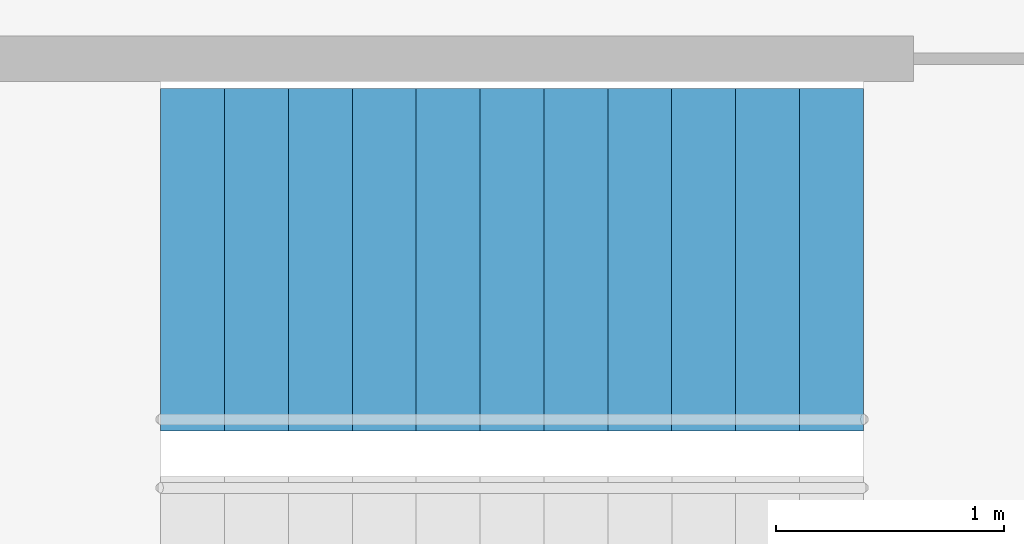
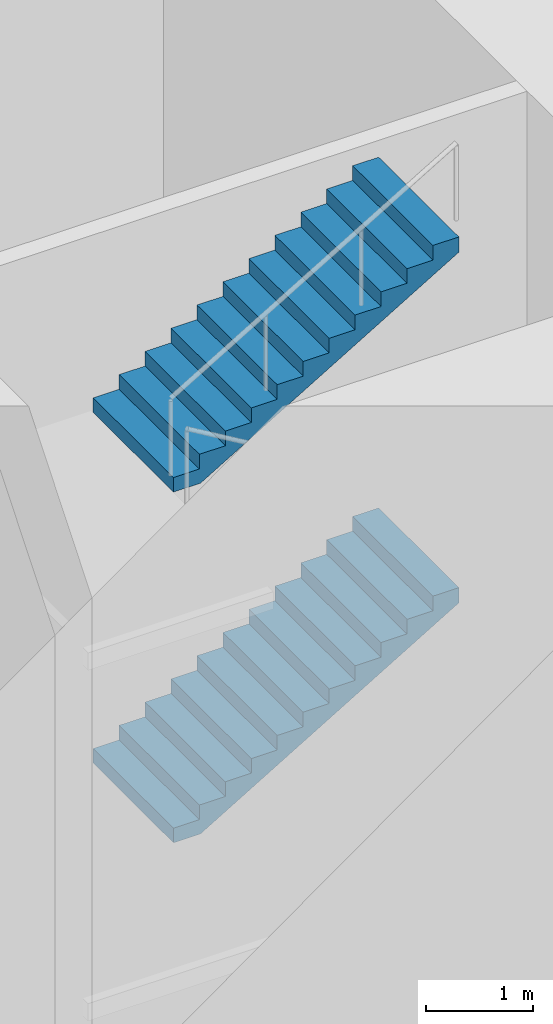
# One storey, part 33 of 74: 2 stair flights, 1 element without a shape of its own.
"""IFC4 building model written with IfcOpenShell, lengths in metres."""

from ifc_helpers import new_model, si_unit, direction, frame, origin, place, context, subcontext, project, spatial, triangles, material, type_object, element, aggregate, save


model = new_model("IFC4")

# Units and contexts
model_context = context("Model", 3, precision=1e-05, world=origin(), true_north=direction((0.0, 1.0)))
body_context = subcontext(model_context, "Body", "Model", "MODEL_VIEW")
ifc_project = project(units=[si_unit("LENGTHUNIT", "METRE"), si_unit("AREAUNIT", "SQUARE_METRE"), si_unit("VOLUMEUNIT", "CUBIC_METRE"), si_unit("PLANEANGLEUNIT", "RADIAN"), si_unit("MASSUNIT", "GRAM", prefix="KILO")], contexts=[model_context])

# Site, building, storey
site_placement = place(None, origin())
site = spatial("IfcSite", under=ifc_project, at=site_placement, CompositionType="ELEMENT")
building_placement = place(site_placement, origin())
building = spatial("IfcBuilding", under=site, at=building_placement, Name="Lantaw Convention Tower", CompositionType="ELEMENT")
storey_placement = place(building_placement, frame((0.0, 0.0, 6.5)))
storey = spatial("IfcBuildingStorey", under=building, at=storey_placement, Name="L01", CompositionType="ELEMENT", Elevation=6.5)

# Stair, stair flights
ifc_material = material(Name="Concrete C35/45", Category="concrete")
stair_type = type_object("IfcStairType", Name="Exit stair 1500 riser 166.67 in 4 flights", PredefinedType="HALF_TURN_STAIR", material=ifc_material)
stair_placement = place(storey_placement, origin())
stair = element("IfcStair", 1, at=stair_placement, inside=storey, type_object=stair_type, Name="Exit stair S2 L01", PredefinedType="HALF_TURN_STAIR")
stair_flight_type = type_object("IfcStairFlightType", Name="Stair flight 1500 riser 166.67", PredefinedType="STRAIGHT", material=ifc_material)
stair_flight_1_placement = place(storey_placement, frame((7.5, -4.280029296875, 2.0), z_axis=(0.0, 0.0, 1.0), x_axis=(1.0, 0.0, 0.0)))
stair_flight_1 = element("IfcStairFlight", 2, at=stair_flight_1_placement, type_object=stair_flight_type, Name="S2 flight 2", NumberOfRisers=12, NumberOfTreads=11, PredefinedType="STRAIGHT", RiserHeight=0.166666667, TreadLength=0.28, context=body_context, shape_type="Tessellation", body=[
    triangles([(0.0, 0.75, 0.0), (0.0, 0.75, 0.166666667), (0.28, 0.75, 0.0), (0.28, 0.75, 0.166666667), (0.28, 0.75, 0.333333334), (0.29307345806906726, 0.75, 0.0), (0.29307345806906726, 0.75, 0.333333334), (0.56, 0.75, 0.15888484670522965), (0.56, 0.75, 0.333333334), (0.56, 0.75, 0.500000001), (0.8400000000000001, 0.75, 0.3255515137052296), (0.8400000000000001, 0.75, 0.500000001), (0.8400000000000001, 0.75, 0.666666668), (1.12, 0.75, 0.4922181807052296), (1.12, 0.75, 0.666666668), (1.12, 0.75, 0.833333335), (1.4000000000000001, 0.75, 0.6588848477052296), (1.4000000000000001, 0.75, 0.833333335), (1.4000000000000001, 0.75, 1.000000002), (1.6800000000000002, 0.75, 0.8255515147052296), (1.6800000000000002, 0.75, 1.000000002), (1.6800000000000002, 0.75, 1.166666669), (1.9600000000000002, 0.75, 0.9922181817052296), (1.9600000000000002, 0.75, 1.166666669), (1.9600000000000002, 0.75, 1.333333336), (2.24, 0.75, 1.1588848487052295), (2.24, 0.75, 1.333333336), (2.24, 0.75, 1.5000000029999998), (2.5200000000000005, 0.75, 1.3255515157052296), (2.5200000000000005, 0.75, 1.5000000029999998), (2.5200000000000005, 0.75, 1.66666667), (2.8000000000000003, 0.75, 1.4922181827052294), (2.8000000000000003, 0.75, 1.66666667), (2.8000000000000003, 0.75, 1.833333337), (3.08, 0.75, 1.6588848497052293), (3.08, 0.75, 1.833333337), (0.0, -0.75, 0.0), (0.0, -0.75, 0.166666667), (0.28, -0.75, 0.0), (0.28, -0.75, 0.166666667), (0.28, -0.75, 0.333333334), (0.29307345806906726, -0.75, 0.0), (0.29307345806906726, -0.75, 0.333333334), (0.56, -0.75, 0.15888484670522965), (0.56, -0.75, 0.333333334), (0.56, -0.75, 0.500000001), (0.8400000000000001, -0.75, 0.3255515137052296), (0.8400000000000001, -0.75, 0.500000001), (0.8400000000000001, -0.75, 0.666666668), (1.12, -0.75, 0.4922181807052296), (1.12, -0.75, 0.666666668), (1.12, -0.75, 0.833333335), (1.4000000000000001, -0.75, 0.6588848477052296), (1.4000000000000001, -0.75, 0.833333335), (1.4000000000000001, -0.75, 1.000000002), (1.6800000000000002, -0.75, 0.8255515147052296), (1.6800000000000002, -0.75, 1.000000002), (1.6800000000000002, -0.75, 1.166666669), (1.9600000000000002, -0.75, 0.9922181817052296), (1.9600000000000002, -0.75, 1.166666669), (1.9600000000000002, -0.75, 1.333333336), (2.24, -0.75, 1.1588848487052295), (2.24, -0.75, 1.333333336), (2.24, -0.75, 1.5000000029999998), (2.5200000000000005, -0.75, 1.3255515157052296), (2.5200000000000005, -0.75, 1.5000000029999998), (2.5200000000000005, -0.75, 1.66666667), (2.8000000000000003, -0.75, 1.4922181827052294), (2.8000000000000003, -0.75, 1.66666667), (2.8000000000000003, -0.75, 1.833333337), (3.08, -0.75, 1.6588848497052293), (3.08, -0.75, 1.833333337), (0.0, 0.15000000000000002, 0.166666667), (0.0, 0.15000000000000002, 0.0), (0.0, 0.0, 0.166666667), (0.0, 0.0, 0.0), (0.0, -0.15000000000000002, 0.166666667), (0.0, -0.15000000000000002, 0.0), (0.28, 0.15000000000000002, 0.333333334), (0.28, 0.15000000000000002, 0.166666667), (0.28, 0.0, 0.333333334), (0.28, 0.0, 0.166666667), (0.28, -0.15000000000000002, 0.333333334), (0.28, -0.15000000000000002, 0.166666667), (0.56, 0.15000000000000002, 0.500000001), (0.56, 0.15000000000000002, 0.333333334), (0.56, 0.0, 0.500000001), (0.56, 0.0, 0.333333334), (0.56, -0.15000000000000002, 0.500000001), (0.56, -0.15000000000000002, 0.333333334), (0.8400000000000001, 0.15000000000000002, 0.666666668), (0.8400000000000001, 0.15000000000000002, 0.500000001), (0.8400000000000001, 0.0, 0.666666668), (0.8400000000000001, 0.0, 0.500000001), (0.8400000000000001, -0.15000000000000002, 0.666666668), (0.8400000000000001, -0.15000000000000002, 0.500000001), (1.12, 0.15000000000000002, 0.833333335), (1.12, 0.15000000000000002, 0.666666668), (1.12, 0.0, 0.833333335), (1.12, 0.0, 0.666666668), (1.12, -0.15000000000000002, 0.833333335), (1.12, -0.15000000000000002, 0.666666668), (1.4000000000000001, 0.15000000000000002, 1.000000002), (1.4000000000000001, 0.15000000000000002, 0.833333335), (1.4000000000000001, 0.0, 1.000000002), (1.4000000000000001, 0.0, 0.833333335), (1.4000000000000001, -0.15000000000000002, 1.000000002), (1.4000000000000001, -0.15000000000000002, 0.833333335), (1.6800000000000002, 0.15000000000000002, 1.166666669), (1.6800000000000002, 0.15000000000000002, 1.000000002), (1.6800000000000002, 0.0, 1.166666669), (1.6800000000000002, 0.0, 1.000000002), (1.6800000000000002, -0.15000000000000002, 1.166666669), (1.6800000000000002, -0.15000000000000002, 1.000000002), (1.9600000000000002, 0.15000000000000002, 1.333333336), (1.9600000000000002, 0.15000000000000002, 1.166666669), (1.9600000000000002, 0.0, 1.333333336), (1.9600000000000002, 0.0, 1.166666669), (1.9600000000000002, -0.15000000000000002, 1.333333336), (1.9600000000000002, -0.15000000000000002, 1.166666669), (2.24, 0.15000000000000002, 1.5000000029999998), (2.24, 0.15000000000000002, 1.333333336), (2.24, 0.0, 1.5000000029999998), (2.24, 0.0, 1.333333336), (2.24, -0.15000000000000002, 1.5000000029999998), (2.24, -0.15000000000000002, 1.333333336), (2.5200000000000005, 0.15000000000000002, 1.66666667), (2.5200000000000005, 0.15000000000000002, 1.5000000029999998), (2.5200000000000005, 0.0, 1.66666667), (2.5200000000000005, 0.0, 1.5000000029999998), (2.5200000000000005, -0.15000000000000002, 1.66666667), (2.5200000000000005, -0.15000000000000002, 1.5000000029999998), (2.8000000000000003, 0.15000000000000002, 1.833333337), (2.8000000000000003, 0.15000000000000002, 1.66666667), (2.8000000000000003, 0.0, 1.833333337), (2.8000000000000003, 0.0, 1.66666667), (2.8000000000000003, -0.15000000000000002, 1.833333337), (2.8000000000000003, -0.15000000000000002, 1.66666667), (0.29307345806906726, 0.15000000000000002, 0.333333334), (0.29307345806906726, 0.0, 0.333333334), (0.29307345806906726, -0.15000000000000002, 0.333333334), (3.08, 0.15000000000000002, 1.833333337), (3.08, 0.0, 1.833333337), (3.08, -0.15000000000000002, 1.833333337), (3.08, 0.15000000000000002, 1.6588848497052293), (3.08, 0.0, 1.6588848497052293), (3.08, -0.15000000000000002, 1.6588848497052293), (2.8000000000000003, 0.15000000000000002, 1.4922181827052294), (2.8000000000000003, 0.0, 1.4922181827052294), (2.8000000000000003, -0.15000000000000002, 1.4922181827052294), (2.5200000000000005, 0.15000000000000002, 1.3255515157052296), (2.5200000000000005, 0.0, 1.3255515157052296), (2.5200000000000005, -0.15000000000000002, 1.3255515157052296), (2.24, 0.15000000000000002, 1.1588848487052295), (2.24, 0.0, 1.1588848487052295), (2.24, -0.15000000000000002, 1.1588848487052295), (1.9600000000000002, 0.15000000000000002, 0.9922181817052296), (1.9600000000000002, 0.0, 0.9922181817052296), (1.9600000000000002, -0.15000000000000002, 0.9922181817052296), (1.6800000000000002, 0.15000000000000002, 0.8255515147052296), (1.6800000000000002, 0.0, 0.8255515147052296), (1.6800000000000002, -0.15000000000000002, 0.8255515147052296), (1.4000000000000001, 0.15000000000000002, 0.6588848477052296), (1.4000000000000001, 0.0, 0.6588848477052296), (1.4000000000000001, -0.15000000000000002, 0.6588848477052296), (1.12, 0.15000000000000002, 0.4922181807052296), (1.12, 0.0, 0.4922181807052296), (1.12, -0.15000000000000002, 0.4922181807052296), (0.8400000000000001, 0.15000000000000002, 0.3255515137052296), (0.8400000000000001, 0.0, 0.3255515137052296), (0.8400000000000001, -0.15000000000000002, 0.3255515137052296), (0.56, 0.15000000000000002, 0.15888484670522965), (0.56, 0.0, 0.15888484670522965), (0.56, -0.15000000000000002, 0.15888484670522965), (0.29307345806906726, 0.15000000000000002, 0.0), (0.29307345806906726, 0.0, 0.0), (0.29307345806906726, -0.15000000000000002, 0.0), (0.28, 0.15000000000000002, 0.0), (0.28, 0.0, 0.0), (0.28, -0.15000000000000002, 0.0)], [[1, 4, 3], [1, 2, 4], [3, 4, 6], [4, 7, 6], [4, 5, 7], [6, 9, 8], [6, 7, 9], [8, 9, 11], [9, 12, 11], [9, 10, 12], [11, 12, 14], [12, 15, 14], [12, 13, 15], [14, 15, 17], [15, 18, 17], [15, 16, 18], [17, 18, 20], [18, 21, 20], [18, 19, 21], [20, 21, 23], [21, 24, 23], [21, 22, 24], [23, 24, 26], [24, 27, 26], [24, 25, 27], [26, 27, 29], [27, 30, 29], [27, 28, 30], [29, 30, 32], [30, 33, 32], [30, 31, 33], [32, 33, 35], [33, 36, 35], [33, 34, 36], [37, 39, 40], [37, 40, 38], [39, 42, 40], [40, 42, 43], [40, 43, 41], [42, 44, 45], [42, 45, 43], [44, 47, 45], [45, 47, 48], [45, 48, 46], [47, 50, 48], [48, 50, 51], [48, 51, 49], [50, 53, 51], [51, 53, 54], [51, 54, 52], [53, 56, 54], [54, 56, 57], [54, 57, 55], [56, 59, 57], [57, 59, 60], [57, 60, 58], [59, 62, 60], [60, 62, 63], [60, 63, 61], [62, 65, 63], [63, 65, 66], [63, 66, 64], [65, 68, 66], [66, 68, 69], [66, 69, 67], [68, 71, 69], [69, 71, 72], [69, 72, 70], [1, 73, 2], [1, 74, 73], [74, 75, 73], [74, 76, 75], [76, 77, 75], [76, 78, 77], [78, 38, 77], [78, 37, 38], [4, 79, 5], [4, 80, 79], [80, 81, 79], [80, 82, 81], [82, 83, 81], [82, 84, 83], [84, 41, 83], [84, 40, 41], [9, 85, 10], [9, 86, 85], [86, 87, 85], [86, 88, 87], [88, 89, 87], [88, 90, 89], [90, 46, 89], [90, 45, 46], [12, 91, 13], [12, 92, 91], [92, 93, 91], [92, 94, 93], [94, 95, 93], [94, 96, 95], [96, 49, 95], [96, 48, 49], [15, 97, 16], [15, 98, 97], [98, 99, 97], [98, 100, 99], [100, 101, 99], [100, 102, 101], [102, 52, 101], [102, 51, 52], [18, 103, 19], [18, 104, 103], [104, 105, 103], [104, 106, 105], [106, 107, 105], [106, 108, 107], [108, 55, 107], [108, 54, 55], [21, 109, 22], [21, 110, 109], [110, 111, 109], [110, 112, 111], [112, 113, 111], [112, 114, 113], [114, 58, 113], [114, 57, 58], [24, 115, 25], [24, 116, 115], [116, 117, 115], [116, 118, 117], [118, 119, 117], [118, 120, 119], [120, 61, 119], [120, 60, 61], [27, 121, 28], [27, 122, 121], [122, 123, 121], [122, 124, 123], [124, 125, 123], [124, 126, 125], [126, 64, 125], [126, 63, 64], [30, 127, 31], [30, 128, 127], [128, 129, 127], [128, 130, 129], [130, 131, 129], [130, 132, 131], [132, 67, 131], [132, 66, 67], [33, 133, 34], [33, 134, 133], [134, 135, 133], [134, 136, 135], [136, 137, 135], [136, 138, 137], [138, 70, 137], [138, 69, 70], [2, 80, 4], [2, 73, 80], [73, 82, 80], [73, 75, 82], [75, 84, 82], [75, 77, 84], [77, 40, 84], [77, 38, 40], [5, 139, 7], [5, 79, 139], [79, 140, 139], [79, 81, 140], [81, 141, 140], [81, 83, 141], [83, 43, 141], [83, 41, 43], [7, 86, 9], [7, 139, 86], [139, 88, 86], [139, 140, 88], [140, 90, 88], [140, 141, 90], [141, 45, 90], [141, 43, 45], [10, 92, 12], [10, 85, 92], [85, 94, 92], [85, 87, 94], [87, 96, 94], [87, 89, 96], [89, 48, 96], [89, 46, 48], [13, 98, 15], [13, 91, 98], [91, 100, 98], [91, 93, 100], [93, 102, 100], [93, 95, 102], [95, 51, 102], [95, 49, 51], [16, 104, 18], [16, 97, 104], [97, 106, 104], [97, 99, 106], [99, 108, 106], [99, 101, 108], [101, 54, 108], [101, 52, 54], [19, 110, 21], [19, 103, 110], [103, 112, 110], [103, 105, 112], [105, 114, 112], [105, 107, 114], [107, 57, 114], [107, 55, 57], [22, 116, 24], [22, 109, 116], [109, 118, 116], [109, 111, 118], [111, 120, 118], [111, 113, 120], [113, 60, 120], [113, 58, 60], [25, 122, 27], [25, 115, 122], [115, 124, 122], [115, 117, 124], [117, 126, 124], [117, 119, 126], [119, 63, 126], [119, 61, 63], [28, 128, 30], [28, 121, 128], [121, 130, 128], [121, 123, 130], [123, 132, 130], [123, 125, 132], [125, 66, 132], [125, 64, 66], [31, 134, 33], [31, 127, 134], [127, 136, 134], [127, 129, 136], [129, 138, 136], [129, 131, 138], [131, 69, 138], [131, 67, 69], [34, 142, 36], [34, 133, 142], [133, 143, 142], [133, 135, 143], [135, 144, 143], [135, 137, 144], [137, 72, 144], [137, 70, 72], [36, 145, 35], [36, 142, 145], [142, 146, 145], [142, 143, 146], [143, 147, 146], [143, 144, 147], [144, 71, 147], [144, 72, 71], [35, 148, 32], [35, 145, 148], [145, 149, 148], [145, 146, 149], [146, 150, 149], [146, 147, 150], [147, 68, 150], [147, 71, 68], [32, 151, 29], [32, 148, 151], [148, 152, 151], [148, 149, 152], [149, 153, 152], [149, 150, 153], [150, 65, 153], [150, 68, 65], [29, 154, 26], [29, 151, 154], [151, 155, 154], [151, 152, 155], [152, 156, 155], [152, 153, 156], [153, 62, 156], [153, 65, 62], [26, 157, 23], [26, 154, 157], [154, 158, 157], [154, 155, 158], [155, 159, 158], [155, 156, 159], [156, 59, 159], [156, 62, 59], [23, 160, 20], [23, 157, 160], [157, 161, 160], [157, 158, 161], [158, 162, 161], [158, 159, 162], [159, 56, 162], [159, 59, 56], [20, 163, 17], [20, 160, 163], [160, 164, 163], [160, 161, 164], [161, 165, 164], [161, 162, 165], [162, 53, 165], [162, 56, 53], [17, 166, 14], [17, 163, 166], [163, 167, 166], [163, 164, 167], [164, 168, 167], [164, 165, 168], [165, 50, 168], [165, 53, 50], [14, 169, 11], [14, 166, 169], [166, 170, 169], [166, 167, 170], [167, 171, 170], [167, 168, 171], [168, 47, 171], [168, 50, 47], [11, 172, 8], [11, 169, 172], [169, 173, 172], [169, 170, 173], [170, 174, 173], [170, 171, 174], [171, 44, 174], [171, 47, 44], [8, 175, 6], [8, 172, 175], [172, 176, 175], [172, 173, 176], [173, 177, 176], [173, 174, 177], [174, 42, 177], [174, 44, 42], [6, 178, 3], [6, 175, 178], [175, 179, 178], [175, 176, 179], [176, 180, 179], [176, 177, 180], [177, 39, 180], [177, 42, 39], [3, 74, 1], [3, 178, 74], [178, 76, 74], [178, 179, 76], [179, 78, 76], [179, 180, 78], [180, 37, 78], [180, 39, 37]], closed=True),
])
stair_flight_2_placement = place(storey_placement, frame((7.5, -4.280029296875, 6.0), z_axis=(0.0, 0.0, 1.0), x_axis=(1.0, 0.0, 0.0)))
stair_flight_2 = element("IfcStairFlight", 3, at=stair_flight_2_placement, type_object=stair_flight_type, Name="S2 flight 4", NumberOfRisers=12, NumberOfTreads=11, PredefinedType="STRAIGHT", RiserHeight=0.166666667, TreadLength=0.28, context=body_context, shape_type="Tessellation", body=[
    triangles([(0.0, 0.75, 0.0), (0.0, 0.75, 0.166666667), (0.28, 0.75, 0.0), (0.28, 0.75, 0.166666667), (0.28, 0.75, 0.333333334), (0.29307345806906726, 0.75, 0.0), (0.29307345806906726, 0.75, 0.333333334), (0.56, 0.75, 0.15888484670522965), (0.56, 0.75, 0.333333334), (0.56, 0.75, 0.500000001), (0.8400000000000001, 0.75, 0.3255515137052296), (0.8400000000000001, 0.75, 0.500000001), (0.8400000000000001, 0.75, 0.666666668), (1.12, 0.75, 0.4922181807052296), (1.12, 0.75, 0.666666668), (1.12, 0.75, 0.833333335), (1.4000000000000001, 0.75, 0.6588848477052296), (1.4000000000000001, 0.75, 0.833333335), (1.4000000000000001, 0.75, 1.000000002), (1.6800000000000002, 0.75, 0.8255515147052296), (1.6800000000000002, 0.75, 1.000000002), (1.6800000000000002, 0.75, 1.166666669), (1.9600000000000002, 0.75, 0.9922181817052296), (1.9600000000000002, 0.75, 1.166666669), (1.9600000000000002, 0.75, 1.333333336), (2.24, 0.75, 1.1588848487052295), (2.24, 0.75, 1.333333336), (2.24, 0.75, 1.5000000029999998), (2.5200000000000005, 0.75, 1.3255515157052296), (2.5200000000000005, 0.75, 1.5000000029999998), (2.5200000000000005, 0.75, 1.66666667), (2.8000000000000003, 0.75, 1.4922181827052294), (2.8000000000000003, 0.75, 1.66666667), (2.8000000000000003, 0.75, 1.833333337), (3.08, 0.75, 1.6588848497052293), (3.08, 0.75, 1.833333337), (0.0, -0.75, 0.0), (0.0, -0.75, 0.166666667), (0.28, -0.75, 0.0), (0.28, -0.75, 0.166666667), (0.28, -0.75, 0.333333334), (0.29307345806906726, -0.75, 0.0), (0.29307345806906726, -0.75, 0.333333334), (0.56, -0.75, 0.15888484670522965), (0.56, -0.75, 0.333333334), (0.56, -0.75, 0.500000001), (0.8400000000000001, -0.75, 0.3255515137052296), (0.8400000000000001, -0.75, 0.500000001), (0.8400000000000001, -0.75, 0.666666668), (1.12, -0.75, 0.4922181807052296), (1.12, -0.75, 0.666666668), (1.12, -0.75, 0.833333335), (1.4000000000000001, -0.75, 0.6588848477052296), (1.4000000000000001, -0.75, 0.833333335), (1.4000000000000001, -0.75, 1.000000002), (1.6800000000000002, -0.75, 0.8255515147052296), (1.6800000000000002, -0.75, 1.000000002), (1.6800000000000002, -0.75, 1.166666669), (1.9600000000000002, -0.75, 0.9922181817052296), (1.9600000000000002, -0.75, 1.166666669), (1.9600000000000002, -0.75, 1.333333336), (2.24, -0.75, 1.1588848487052295), (2.24, -0.75, 1.333333336), (2.24, -0.75, 1.5000000029999998), (2.5200000000000005, -0.75, 1.3255515157052296), (2.5200000000000005, -0.75, 1.5000000029999998), (2.5200000000000005, -0.75, 1.66666667), (2.8000000000000003, -0.75, 1.4922181827052294), (2.8000000000000003, -0.75, 1.66666667), (2.8000000000000003, -0.75, 1.833333337), (3.08, -0.75, 1.6588848497052293), (3.08, -0.75, 1.833333337), (0.0, 0.15000000000000002, 0.166666667), (0.0, 0.15000000000000002, 0.0), (0.0, 0.0, 0.166666667), (0.0, 0.0, 0.0), (0.0, -0.15000000000000002, 0.166666667), (0.0, -0.15000000000000002, 0.0), (0.28, 0.15000000000000002, 0.333333334), (0.28, 0.15000000000000002, 0.166666667), (0.28, 0.0, 0.333333334), (0.28, 0.0, 0.166666667), (0.28, -0.15000000000000002, 0.333333334), (0.28, -0.15000000000000002, 0.166666667), (0.56, 0.15000000000000002, 0.500000001), (0.56, 0.15000000000000002, 0.333333334), (0.56, 0.0, 0.500000001), (0.56, 0.0, 0.333333334), (0.56, -0.15000000000000002, 0.500000001), (0.56, -0.15000000000000002, 0.333333334), (0.8400000000000001, 0.15000000000000002, 0.666666668), (0.8400000000000001, 0.15000000000000002, 0.500000001), (0.8400000000000001, 0.0, 0.666666668), (0.8400000000000001, 0.0, 0.500000001), (0.8400000000000001, -0.15000000000000002, 0.666666668), (0.8400000000000001, -0.15000000000000002, 0.500000001), (1.12, 0.15000000000000002, 0.833333335), (1.12, 0.15000000000000002, 0.666666668), (1.12, 0.0, 0.833333335), (1.12, 0.0, 0.666666668), (1.12, -0.15000000000000002, 0.833333335), (1.12, -0.15000000000000002, 0.666666668), (1.4000000000000001, 0.15000000000000002, 1.000000002), (1.4000000000000001, 0.15000000000000002, 0.833333335), (1.4000000000000001, 0.0, 1.000000002), (1.4000000000000001, 0.0, 0.833333335), (1.4000000000000001, -0.15000000000000002, 1.000000002), (1.4000000000000001, -0.15000000000000002, 0.833333335), (1.6800000000000002, 0.15000000000000002, 1.166666669), (1.6800000000000002, 0.15000000000000002, 1.000000002), (1.6800000000000002, 0.0, 1.166666669), (1.6800000000000002, 0.0, 1.000000002), (1.6800000000000002, -0.15000000000000002, 1.166666669), (1.6800000000000002, -0.15000000000000002, 1.000000002), (1.9600000000000002, 0.15000000000000002, 1.333333336), (1.9600000000000002, 0.15000000000000002, 1.166666669), (1.9600000000000002, 0.0, 1.333333336), (1.9600000000000002, 0.0, 1.166666669), (1.9600000000000002, -0.15000000000000002, 1.333333336), (1.9600000000000002, -0.15000000000000002, 1.166666669), (2.24, 0.15000000000000002, 1.5000000029999998), (2.24, 0.15000000000000002, 1.333333336), (2.24, 0.0, 1.5000000029999998), (2.24, 0.0, 1.333333336), (2.24, -0.15000000000000002, 1.5000000029999998), (2.24, -0.15000000000000002, 1.333333336), (2.5200000000000005, 0.15000000000000002, 1.66666667), (2.5200000000000005, 0.15000000000000002, 1.5000000029999998), (2.5200000000000005, 0.0, 1.66666667), (2.5200000000000005, 0.0, 1.5000000029999998), (2.5200000000000005, -0.15000000000000002, 1.66666667), (2.5200000000000005, -0.15000000000000002, 1.5000000029999998), (2.8000000000000003, 0.15000000000000002, 1.833333337), (2.8000000000000003, 0.15000000000000002, 1.66666667), (2.8000000000000003, 0.0, 1.833333337), (2.8000000000000003, 0.0, 1.66666667), (2.8000000000000003, -0.15000000000000002, 1.833333337), (2.8000000000000003, -0.15000000000000002, 1.66666667), (0.29307345806906726, 0.15000000000000002, 0.333333334), (0.29307345806906726, 0.0, 0.333333334), (0.29307345806906726, -0.15000000000000002, 0.333333334), (3.08, 0.15000000000000002, 1.833333337), (3.08, 0.0, 1.833333337), (3.08, -0.15000000000000002, 1.833333337), (3.08, 0.15000000000000002, 1.6588848497052293), (3.08, 0.0, 1.6588848497052293), (3.08, -0.15000000000000002, 1.6588848497052293), (2.8000000000000003, 0.15000000000000002, 1.4922181827052294), (2.8000000000000003, 0.0, 1.4922181827052294), (2.8000000000000003, -0.15000000000000002, 1.4922181827052294), (2.5200000000000005, 0.15000000000000002, 1.3255515157052296), (2.5200000000000005, 0.0, 1.3255515157052296), (2.5200000000000005, -0.15000000000000002, 1.3255515157052296), (2.24, 0.15000000000000002, 1.1588848487052295), (2.24, 0.0, 1.1588848487052295), (2.24, -0.15000000000000002, 1.1588848487052295), (1.9600000000000002, 0.15000000000000002, 0.9922181817052296), (1.9600000000000002, 0.0, 0.9922181817052296), (1.9600000000000002, -0.15000000000000002, 0.9922181817052296), (1.6800000000000002, 0.15000000000000002, 0.8255515147052296), (1.6800000000000002, 0.0, 0.8255515147052296), (1.6800000000000002, -0.15000000000000002, 0.8255515147052296), (1.4000000000000001, 0.15000000000000002, 0.6588848477052296), (1.4000000000000001, 0.0, 0.6588848477052296), (1.4000000000000001, -0.15000000000000002, 0.6588848477052296), (1.12, 0.15000000000000002, 0.4922181807052296), (1.12, 0.0, 0.4922181807052296), (1.12, -0.15000000000000002, 0.4922181807052296), (0.8400000000000001, 0.15000000000000002, 0.3255515137052296), (0.8400000000000001, 0.0, 0.3255515137052296), (0.8400000000000001, -0.15000000000000002, 0.3255515137052296), (0.56, 0.15000000000000002, 0.15888484670522965), (0.56, 0.0, 0.15888484670522965), (0.56, -0.15000000000000002, 0.15888484670522965), (0.29307345806906726, 0.15000000000000002, 0.0), (0.29307345806906726, 0.0, 0.0), (0.29307345806906726, -0.15000000000000002, 0.0), (0.28, 0.15000000000000002, 0.0), (0.28, 0.0, 0.0), (0.28, -0.15000000000000002, 0.0)], [[1, 4, 3], [1, 2, 4], [3, 4, 6], [4, 7, 6], [4, 5, 7], [6, 9, 8], [6, 7, 9], [8, 9, 11], [9, 12, 11], [9, 10, 12], [11, 12, 14], [12, 15, 14], [12, 13, 15], [14, 15, 17], [15, 18, 17], [15, 16, 18], [17, 18, 20], [18, 21, 20], [18, 19, 21], [20, 21, 23], [21, 24, 23], [21, 22, 24], [23, 24, 26], [24, 27, 26], [24, 25, 27], [26, 27, 29], [27, 30, 29], [27, 28, 30], [29, 30, 32], [30, 33, 32], [30, 31, 33], [32, 33, 35], [33, 36, 35], [33, 34, 36], [37, 39, 40], [37, 40, 38], [39, 42, 40], [40, 42, 43], [40, 43, 41], [42, 44, 45], [42, 45, 43], [44, 47, 45], [45, 47, 48], [45, 48, 46], [47, 50, 48], [48, 50, 51], [48, 51, 49], [50, 53, 51], [51, 53, 54], [51, 54, 52], [53, 56, 54], [54, 56, 57], [54, 57, 55], [56, 59, 57], [57, 59, 60], [57, 60, 58], [59, 62, 60], [60, 62, 63], [60, 63, 61], [62, 65, 63], [63, 65, 66], [63, 66, 64], [65, 68, 66], [66, 68, 69], [66, 69, 67], [68, 71, 69], [69, 71, 72], [69, 72, 70], [1, 73, 2], [1, 74, 73], [74, 75, 73], [74, 76, 75], [76, 77, 75], [76, 78, 77], [78, 38, 77], [78, 37, 38], [4, 79, 5], [4, 80, 79], [80, 81, 79], [80, 82, 81], [82, 83, 81], [82, 84, 83], [84, 41, 83], [84, 40, 41], [9, 85, 10], [9, 86, 85], [86, 87, 85], [86, 88, 87], [88, 89, 87], [88, 90, 89], [90, 46, 89], [90, 45, 46], [12, 91, 13], [12, 92, 91], [92, 93, 91], [92, 94, 93], [94, 95, 93], [94, 96, 95], [96, 49, 95], [96, 48, 49], [15, 97, 16], [15, 98, 97], [98, 99, 97], [98, 100, 99], [100, 101, 99], [100, 102, 101], [102, 52, 101], [102, 51, 52], [18, 103, 19], [18, 104, 103], [104, 105, 103], [104, 106, 105], [106, 107, 105], [106, 108, 107], [108, 55, 107], [108, 54, 55], [21, 109, 22], [21, 110, 109], [110, 111, 109], [110, 112, 111], [112, 113, 111], [112, 114, 113], [114, 58, 113], [114, 57, 58], [24, 115, 25], [24, 116, 115], [116, 117, 115], [116, 118, 117], [118, 119, 117], [118, 120, 119], [120, 61, 119], [120, 60, 61], [27, 121, 28], [27, 122, 121], [122, 123, 121], [122, 124, 123], [124, 125, 123], [124, 126, 125], [126, 64, 125], [126, 63, 64], [30, 127, 31], [30, 128, 127], [128, 129, 127], [128, 130, 129], [130, 131, 129], [130, 132, 131], [132, 67, 131], [132, 66, 67], [33, 133, 34], [33, 134, 133], [134, 135, 133], [134, 136, 135], [136, 137, 135], [136, 138, 137], [138, 70, 137], [138, 69, 70], [2, 80, 4], [2, 73, 80], [73, 82, 80], [73, 75, 82], [75, 84, 82], [75, 77, 84], [77, 40, 84], [77, 38, 40], [5, 139, 7], [5, 79, 139], [79, 140, 139], [79, 81, 140], [81, 141, 140], [81, 83, 141], [83, 43, 141], [83, 41, 43], [7, 86, 9], [7, 139, 86], [139, 88, 86], [139, 140, 88], [140, 90, 88], [140, 141, 90], [141, 45, 90], [141, 43, 45], [10, 92, 12], [10, 85, 92], [85, 94, 92], [85, 87, 94], [87, 96, 94], [87, 89, 96], [89, 48, 96], [89, 46, 48], [13, 98, 15], [13, 91, 98], [91, 100, 98], [91, 93, 100], [93, 102, 100], [93, 95, 102], [95, 51, 102], [95, 49, 51], [16, 104, 18], [16, 97, 104], [97, 106, 104], [97, 99, 106], [99, 108, 106], [99, 101, 108], [101, 54, 108], [101, 52, 54], [19, 110, 21], [19, 103, 110], [103, 112, 110], [103, 105, 112], [105, 114, 112], [105, 107, 114], [107, 57, 114], [107, 55, 57], [22, 116, 24], [22, 109, 116], [109, 118, 116], [109, 111, 118], [111, 120, 118], [111, 113, 120], [113, 60, 120], [113, 58, 60], [25, 122, 27], [25, 115, 122], [115, 124, 122], [115, 117, 124], [117, 126, 124], [117, 119, 126], [119, 63, 126], [119, 61, 63], [28, 128, 30], [28, 121, 128], [121, 130, 128], [121, 123, 130], [123, 132, 130], [123, 125, 132], [125, 66, 132], [125, 64, 66], [31, 134, 33], [31, 127, 134], [127, 136, 134], [127, 129, 136], [129, 138, 136], [129, 131, 138], [131, 69, 138], [131, 67, 69], [34, 142, 36], [34, 133, 142], [133, 143, 142], [133, 135, 143], [135, 144, 143], [135, 137, 144], [137, 72, 144], [137, 70, 72], [36, 145, 35], [36, 142, 145], [142, 146, 145], [142, 143, 146], [143, 147, 146], [143, 144, 147], [144, 71, 147], [144, 72, 71], [35, 148, 32], [35, 145, 148], [145, 149, 148], [145, 146, 149], [146, 150, 149], [146, 147, 150], [147, 68, 150], [147, 71, 68], [32, 151, 29], [32, 148, 151], [148, 152, 151], [148, 149, 152], [149, 153, 152], [149, 150, 153], [150, 65, 153], [150, 68, 65], [29, 154, 26], [29, 151, 154], [151, 155, 154], [151, 152, 155], [152, 156, 155], [152, 153, 156], [153, 62, 156], [153, 65, 62], [26, 157, 23], [26, 154, 157], [154, 158, 157], [154, 155, 158], [155, 159, 158], [155, 156, 159], [156, 59, 159], [156, 62, 59], [23, 160, 20], [23, 157, 160], [157, 161, 160], [157, 158, 161], [158, 162, 161], [158, 159, 162], [159, 56, 162], [159, 59, 56], [20, 163, 17], [20, 160, 163], [160, 164, 163], [160, 161, 164], [161, 165, 164], [161, 162, 165], [162, 53, 165], [162, 56, 53], [17, 166, 14], [17, 163, 166], [163, 167, 166], [163, 164, 167], [164, 168, 167], [164, 165, 168], [165, 50, 168], [165, 53, 50], [14, 169, 11], [14, 166, 169], [166, 170, 169], [166, 167, 170], [167, 171, 170], [167, 168, 171], [168, 47, 171], [168, 50, 47], [11, 172, 8], [11, 169, 172], [169, 173, 172], [169, 170, 173], [170, 174, 173], [170, 171, 174], [171, 44, 174], [171, 47, 44], [8, 175, 6], [8, 172, 175], [172, 176, 175], [172, 173, 176], [173, 177, 176], [173, 174, 177], [174, 42, 177], [174, 44, 42], [6, 178, 3], [6, 175, 178], [175, 179, 178], [175, 176, 179], [176, 180, 179], [176, 177, 180], [177, 39, 180], [177, 42, 39], [3, 74, 1], [3, 178, 74], [178, 76, 74], [178, 179, 76], [179, 78, 76], [179, 180, 78], [180, 37, 78], [180, 39, 37]], closed=True),
])
aggregate(stair, [stair_flight_1, stair_flight_2])

save(model, "model.ifc")
